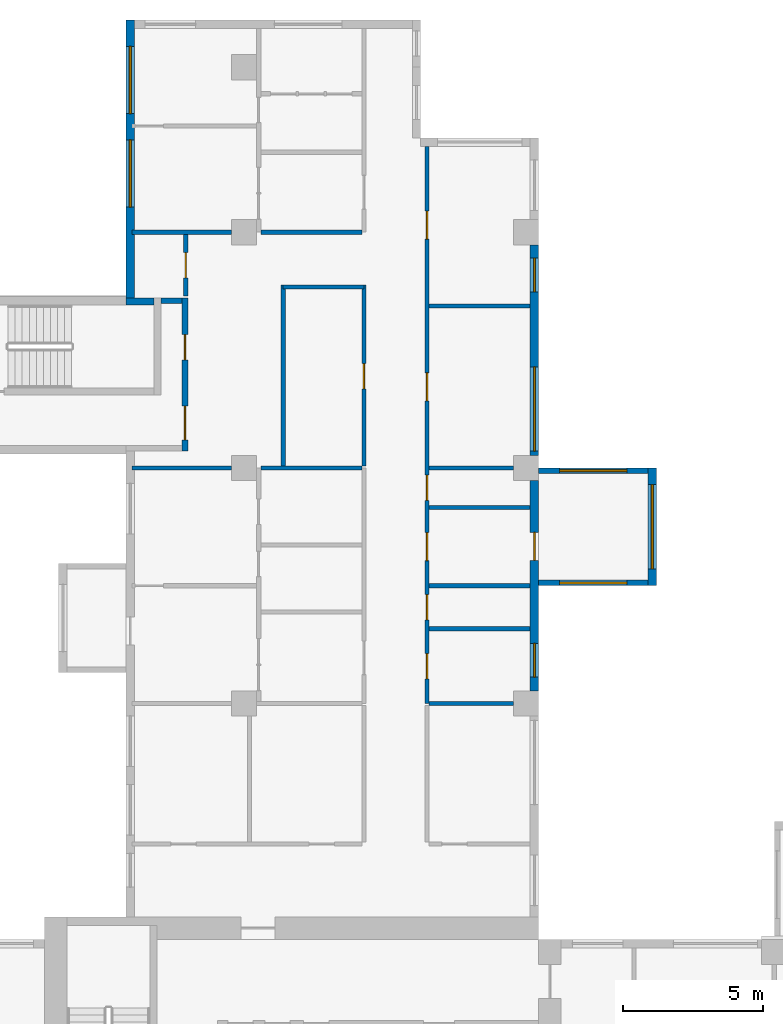
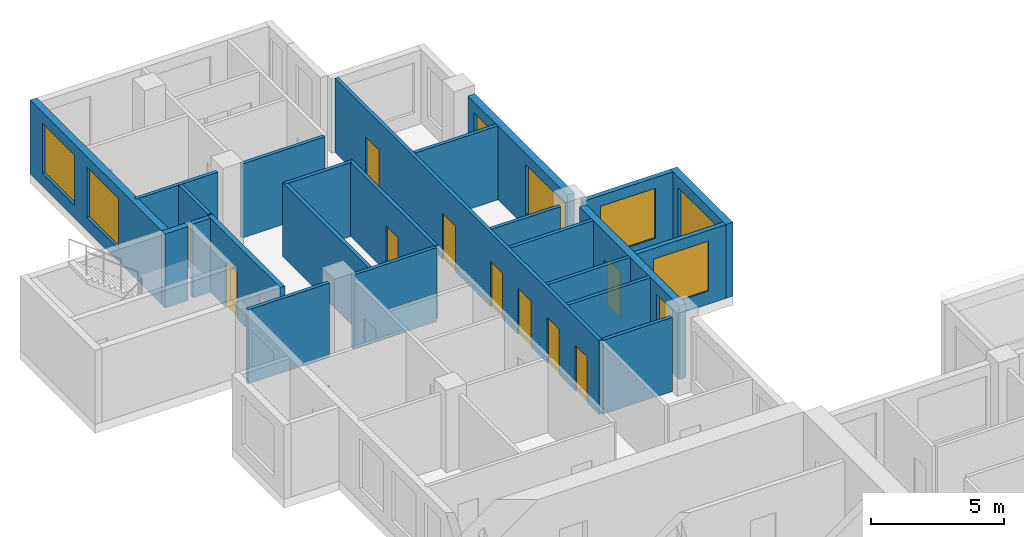
# One storey, part 7 of 12: 24 walls, 11 doors, 8 windows, 19 openings.
"""IFC4 building model written with IfcOpenShell, lengths in metres."""

import ifcopenshell
import ifcopenshell.guid

model = None  # the IFC model being written
_history = None  # IfcOwnerHistory: only IFC2X3 demands one
_inside = {}  # id of a spatial element -> (the spatial element, [elements in it])
_under = {}  # id of a project, library or spatial element -> (it, [spatial elements below it])
_declared = {}  # id of a project -> (the project, [libraries it declares])
_typed = {}  # id of a type object -> (the type object, [elements of that type])
_made_of = {}  # id of a material, layer set ... -> (it, [elements and type objects made of it])


def new_model(schema):
    """Start an empty IFC model of exactly this schema.

    Asked for "IFC4X3", IfcOpenShell would pick the latest addendum, in which some entities
    have other attributes; the version numbers below select the first issue.
    IFC2X3 requires an IfcOwnerHistory on every rooted entity: one is made here for all.
    """
    global model, _history
    if schema == "IFC4X3":
        model = ifcopenshell.file(schema_version=(4, 3, 0, 0))
    else:
        model = ifcopenshell.file(schema=schema)
    _inside.clear()
    _under.clear()
    _declared.clear()
    _typed.clear()
    _made_of.clear()
    _history = None
    if model.schema == "IFC2X3":
        org = make("IfcOrganization", Name="unknown")
        user = make(
            "IfcPersonAndOrganization",
            ThePerson=make("IfcPerson", FamilyName="unknown"),
            TheOrganization=org,
        )
        app = make(
            "IfcApplication",
            ApplicationDeveloper=org,
            Version="unknown",
            ApplicationFullName="unknown",
            ApplicationIdentifier="unknown",
        )
        _history = make(
            "IfcOwnerHistory",
            OwningUser=user,
            OwningApplication=app,
            ChangeAction="ADDED",
            CreationDate=0,
        )
    return model


def make(cls, **values):
    """One entity of the class cls with the attributes given. An attribute that is None is left unset."""
    return model.create_entity(
        cls, **{name: value for name, value in values.items() if value is not None}
    )


def rooted(cls, **values):
    """An entity with a GlobalId (a new one), such as an element, a storey or a relation."""
    return make(cls, GlobalId=ifcopenshell.guid.new(), OwnerHistory=_history, **values)


def si_unit(unit_type, name, prefix=None):
    """IfcSIUnit, for example si_unit("LENGTHUNIT", "METRE", prefix="MILLI")."""
    return make("IfcSIUnit", UnitType=unit_type, Prefix=prefix, Name=name)


def assignment(units):
    """IfcUnitAssignment: the units of a project."""
    return None if units is None else make("IfcUnitAssignment", Units=units)


def point(xyz):
    """IfcCartesianPoint."""
    return None if xyz is None else make("IfcCartesianPoint", Coordinates=xyz)


def direction(xyz):
    """IfcDirection."""
    return None if xyz is None else make("IfcDirection", DirectionRatios=xyz)


def frame(location, z_axis=None, x_axis=None):
    """IfcAxis2Placement3D, a coordinate frame: its origin and axes. An axis left out is left unset."""
    return make(
        "IfcAxis2Placement3D",
        Location=point(location),
        Axis=direction(z_axis),
        RefDirection=direction(x_axis),
    )


def frame_2d(location, x_axis=None):
    """IfcAxis2Placement2D, a coordinate frame in the plane: its origin and x axis."""
    return make(
        "IfcAxis2Placement2D", Location=point(location), RefDirection=direction(x_axis)
    )


def origin():
    """The frame at (0, 0, 0) with its axes left unset."""
    return frame((0.0, 0.0, 0.0))


def place(relative_to, where):
    """IfcLocalPlacement: puts the frame where relative to a parent placement (None: the world)."""
    return make(
        "IfcLocalPlacement", PlacementRelTo=relative_to, RelativePlacement=where
    )


def context(
    kind, dimensions, precision=None, world=None, true_north=None, identifier=None
):
    """IfcGeometricRepresentationContext, for example the 3D "Model" context."""
    return make(
        "IfcGeometricRepresentationContext",
        ContextIdentifier=identifier,
        ContextType=kind,
        CoordinateSpaceDimension=dimensions,
        Precision=precision,
        WorldCoordinateSystem=world,
        TrueNorth=true_north,
    )


def subcontext(parent, identifier, kind, view, scale=None):
    """IfcGeometricRepresentationSubContext, for example "Body" below "Model"."""
    return make(
        "IfcGeometricRepresentationSubContext",
        ContextIdentifier=identifier,
        ContextType=kind,
        ParentContext=parent,
        TargetScale=scale,
        TargetView=view,
    )


def project(units=None, contexts=None):
    """IfcProject with its units and contexts."""
    return rooted(
        "IfcProject",
        Name="project",
        RepresentationContexts=contexts,
        UnitsInContext=assignment(units),
    )


def spatial(cls, under=None, at=None, **own):
    """A site, building, storey or space (cls), placed at a placement, below another one or the project."""
    s = rooted(cls, ObjectPlacement=at, **own)
    if under is not None:
        _under.setdefault(under.id(), (under, []))[1].append(s)
    return s


def profile(cls, at=None, kind="AREA", **sizes):
    """A parametric profile (cls). Its sizes go by their IFC names, for example OverallWidth=200.0."""
    return make(cls, ProfileType=kind, Position=at, **sizes)


def rectangle(**sizes):
    """IfcRectangleProfileDef."""
    return profile("IfcRectangleProfileDef", **sizes)


def extrude(swept, where, along, depth):
    """IfcExtrudedAreaSolid: the profile swept, set in the frame where, extruded along a direction by depth."""
    return make(
        "IfcExtrudedAreaSolid",
        SweptArea=swept,
        Position=where,
        ExtrudedDirection=direction(along),
        Depth=depth,
    )


def shape(context_of_items, identifier, shape_type, items):
    """IfcShapeRepresentation: the items that make up one representation, for example the "Body"."""
    return make(
        "IfcShapeRepresentation",
        ContextOfItems=context_of_items,
        RepresentationIdentifier=identifier,
        RepresentationType=shape_type,
        Items=items,
    )


def source(mapping_origin, context_of_items, identifier, shape_type, items):
    """IfcRepresentationMap: a shape defined once, which mapped items show again and again."""
    return make(
        "IfcRepresentationMap",
        MappingOrigin=mapping_origin,
        MappedRepresentation=shape(context_of_items, identifier, shape_type, items),
    )


def transform(
    local_origin,
    x_axis=None,
    y_axis=None,
    z_axis=None,
    scale=None,
    scale2=None,
    scale3=None,
    uniform=True,
):
    """IfcCartesianTransformationOperator3D, or its non-uniform kind. x_axis, y_axis, z_axis: its Axis1, 2, 3."""
    if uniform:
        return make(
            "IfcCartesianTransformationOperator3D",
            Axis1=direction(x_axis),
            Axis2=direction(y_axis),
            LocalOrigin=point(local_origin),
            Scale=scale,
            Axis3=direction(z_axis),
        )
    return make(
        "IfcCartesianTransformationOperator3DnonUniform",
        Axis1=direction(x_axis),
        Axis2=direction(y_axis),
        LocalOrigin=point(local_origin),
        Scale=scale,
        Axis3=direction(z_axis),
        Scale2=scale2,
        Scale3=scale3,
    )


def mapped(mapping_source, mapping_target):
    """IfcMappedItem: shows the shape of a source again, moved by a transform."""
    return make(
        "IfcMappedItem", MappingSource=mapping_source, MappingTarget=mapping_target
    )


def material(Name=None, Category=None):
    """IfcMaterial."""
    return make("IfcMaterial", Name=Name, Category=Category)


def layer(
    of_material, thickness, ventilated=None, Name=None, Category=None, Priority=None
):
    """IfcMaterialLayer: one layer of a wall or slab, of a material (None: an air gap)."""
    return make(
        "IfcMaterialLayer",
        Material=of_material,
        LayerThickness=thickness,
        IsVentilated=ventilated,
        Name=Name,
        Category=Category,
        Priority=Priority,
    )


def layer_set(layers, Name=None):
    """IfcMaterialLayerSet."""
    return make("IfcMaterialLayerSet", MaterialLayers=layers, LayerSetName=Name)


def made_of(thing, what):
    """Note that an element or type object is made of a material, layer set ...; save() writes the relation."""
    if what is not None:
        _made_of.setdefault(what.id(), (what, []))[1].append(thing)
    return thing


def type_object(cls, material=None, **own):
    """A type object (cls), such as IfcWallType, which elements share."""
    return made_of(rooted(cls, **own), material)


def element(
    cls,
    number,
    at=None,
    inside=None,
    cuts=None,
    type_object=None,
    material=None,
    context=None,
    identifier="Body",
    shape_type=None,
    held_by="IfcProductDefinitionShape",
    body=None,
    shapes=None,
    **own,
):
    """One element of the class cls, such as IfcWall. Its Tag is "e" and its number.

    at: its placement. inside: the storey or other place that contains it. cuts: it is an
    opening in that element (IfcRelVoidsElement). A single representation is given by context,
    identifier, shape_type and body (its items); several are given by shapes. held_by: the class
    of the entity that holds the representations. save() writes the other relations.
    """
    e = rooted(cls, Tag="e%d" % number, ObjectPlacement=at, **own)
    if body is not None:
        shapes = [shape(context, identifier, shape_type, body)]
    if shapes is not None:
        e.Representation = make(held_by, Representations=shapes)
    if inside is not None:
        _inside.setdefault(inside.id(), (inside, []))[1].append(e)
    if cuts is not None:
        rooted(
            "IfcRelVoidsElement", RelatingBuildingElement=cuts, RelatedOpeningElement=e
        )
    if type_object is not None:
        _typed.setdefault(type_object.id(), (type_object, []))[1].append(e)
    return made_of(e, material)


def fill(opening, filler):
    """IfcRelFillsElement: the door or window that sits in an opening."""
    return rooted(
        "IfcRelFillsElement",
        RelatingOpeningElement=opening,
        RelatedBuildingElement=filler,
    )


def aggregate(whole, parts):
    """IfcRelAggregates: a whole, such as a stair, and the parts it consists of."""
    return rooted("IfcRelAggregates", RelatingObject=whole, RelatedObjects=parts)


def save(model, path):
    """Write the relations noted so far, then the file.

    IfcRelAggregates (storeys below a building ...), IfcRelContainedInSpatialStructure (elements
    in a storey), IfcRelDefinesByType, IfcRelAssociatesMaterial and IfcRelDeclares: one each for
    every whole, place, type object, material and project.
    """
    for whole, parts in _under.values():
        aggregate(whole, parts)
    for where, things in _inside.values():
        rooted(
            "IfcRelContainedInSpatialStructure",
            RelatedElements=things,
            RelatingStructure=where,
        )
    for kind, things in _typed.values():
        rooted("IfcRelDefinesByType", RelatedObjects=things, RelatingType=kind)
    for what, things in _made_of.values():
        rooted("IfcRelAssociatesMaterial", RelatedObjects=things, RelatingMaterial=what)
    for by, libraries in _declared.values():
        rooted("IfcRelDeclares", RelatingContext=by, RelatedDefinitions=libraries)
    model.write(path)


model = new_model("IFC4")

# Units and contexts
model_context = context("Model", 3, precision=1e-05, world=origin(), true_north=direction((0.0, 1.0)))
body_context = subcontext(model_context, "Body", "Model", "MODEL_VIEW")
ifc_project = project(units=[si_unit("LENGTHUNIT", "METRE"), si_unit("AREAUNIT", "SQUARE_METRE"), si_unit("VOLUMEUNIT", "CUBIC_METRE"), si_unit("PLANEANGLEUNIT", "RADIAN"), si_unit("MASSUNIT", "GRAM", prefix="KILO")], contexts=[model_context])

# Site, building, storey
site_placement = place(None, origin())
site = spatial("IfcSite", under=ifc_project, at=site_placement, CompositionType="ELEMENT")
building_placement = place(site_placement, origin())
building = spatial("IfcBuilding", under=site, at=building_placement, Name="Aurelian Terraces", CompositionType="ELEMENT")
storey_placement = place(building_placement, frame((0.0, 0.0, 219.6)))
storey = spatial("IfcBuildingStorey", under=building, at=storey_placement, Name="L49", CompositionType="ELEMENT", Elevation=219.6)

# Wall, openings, window, door
ifc_material_1 = material(Name="Terracotta rainscreen cladding", Category="masonry")
ifc_layer_1 = layer(ifc_material_1, 0.3)
ifc_layer_set_1 = layer_set([ifc_layer_1], Name="EW-300")
wall_type_1 = type_object("IfcWallType", Name="EW-300", PredefinedType="STANDARD", material=ifc_layer_set_1)
shared_shape_1 = source(origin(), body_context, "Body", "SweptSolid", [
    extrude(rectangle(XDim=7.5, YDim=0.3, at=frame_2d((3.75, 0.0))), origin(), (0.0, 0.0, 1.0), 3.4),
])
wall_1_placement = place(storey_placement, frame((20.85, 29.85, 0.0), z_axis=(0.0, 0.0, 1.0), x_axis=(0.0, 1.0, 0.0)))
wall_1 = element("IfcWall", 1, at=wall_1_placement, inside=storey, type_object=wall_type_1, Name="External wall L49 F08.18", PredefinedType="STANDARD", context=body_context, shape_type="MappedRepresentation", body=[
    mapped(shared_shape_1, transform((0.0, 0.0, 0.0), scale=1.0)),
])
shared_shape_2 = source(origin(), body_context, "Body", "SweptSolid", [
    extrude(rectangle(XDim=1.2, YDim=2.3, at=frame_2d((0.6, 1.15))), frame((0.0, 0.16, 0.0), z_axis=(0.0, -1.0, 0.0), x_axis=(1.0, 0.0, 0.0)), (0.0, 0.0, 1.0), 0.32),
])
opening_1_placement = place(wall_1_placement, frame((0.496, 0.0, 0.6)))
opening_1 = element("IfcOpeningElement", 2, at=opening_1_placement, cuts=wall_1, Name="Opening W1223", PredefinedType="OPENING", context=body_context, shape_type="MappedRepresentation", body=[
    mapped(shared_shape_2, transform((0.0, 0.0, 0.0), scale=1.0)),
])
shared_shape_3 = source(origin(), body_context, "Body", "SweptSolid", [
    extrude(rectangle(XDim=1.0, YDim=2.1, at=frame_2d((0.5, 1.05))), frame((0.0, 0.16, 0.0), z_axis=(0.0, -1.0, 0.0), x_axis=(1.0, 0.0, 0.0)), (0.0, 0.0, 1.0), 0.32),
])
opening_2_placement = place(wall_1_placement, frame((4.65, 0.0, 0.0)))
opening_2 = element("IfcOpeningElement", 3, at=opening_2_placement, cuts=wall_1, Name="Opening 849004", PredefinedType="OPENING", context=body_context, shape_type="MappedRepresentation", body=[
    mapped(shared_shape_3, transform((0.0, 0.0, 0.0), scale=1.0)),
])
ifc_material_2 = material(Name="Clear glazing", Category="glass")
window_type_1 = type_object("IfcWindowType", Name="W-1200x2300", PartitioningType="SINGLE_PANEL", PredefinedType="WINDOW", material=ifc_material_2)
shared_shape_4 = source(origin(), body_context, "Body", "SweptSolid", [
    extrude(rectangle(XDim=1.2, YDim=2.3, at=frame_2d((0.6, 1.15))), frame((0.0, 0.03, 0.0), z_axis=(0.0, -1.0, 0.0), x_axis=(1.0, 0.0, 0.0)), (0.0, 0.0, 1.0), 0.06),
])
window_1_placement = place(opening_1_placement, origin())
window_1 = element("IfcWindow", 4, at=window_1_placement, inside=storey, type_object=window_type_1, Name="Window L49 L49-F08-18-0", OverallHeight=2.3, OverallWidth=1.2, PartitioningType="SINGLE_PANEL", PredefinedType="WINDOW", context=body_context, shape_type="MappedRepresentation", body=[
    mapped(shared_shape_4, transform((0.0, 0.0, 0.0), scale=1.0)),
])
fill(opening_1, window_1)
ifc_material_3 = material(Name="Timber door leaf", Category="wood")
door_type_1 = type_object("IfcDoorType", Name="Room door 1000x2100 left", OperationType="SINGLE_SWING_LEFT", PredefinedType="DOOR", material=ifc_material_3)
shared_shape_5 = source(origin(), body_context, "Body", "SweptSolid", [
    extrude(rectangle(XDim=1.0, YDim=2.1, at=frame_2d((0.5, 1.05))), frame((0.0, 0.025, 0.0), z_axis=(0.0, -1.0, 0.0), x_axis=(1.0, 0.0, 0.0)), (0.0, 0.0, 1.0), 0.05),
])
door_1_placement = place(opening_2_placement, origin())
door_1 = element("IfcDoor", 5, at=door_1_placement, inside=storey, type_object=door_type_1, Name="Door 849004", OperationType="SINGLE_SWING_LEFT", OverallHeight=2.1, OverallWidth=1.0, PredefinedType="DOOR", context=body_context, shape_type="MappedRepresentation", body=[
    mapped(shared_shape_5, transform((0.0, 0.0, 0.0), scale=1.0)),
])
fill(opening_2, door_1)

# Wall, openings, windows
wall_2_placement = place(storey_placement, frame((20.85, 38.25, 0.0), z_axis=(0.0, 0.0, 1.0), x_axis=(0.0, 1.0, 0.0)))
wall_2 = element("IfcWall", 6, at=wall_2_placement, inside=storey, type_object=wall_type_1, Name="External wall L49 F08.19", PredefinedType="STANDARD", context=body_context, shape_type="MappedRepresentation", body=[
    mapped(shared_shape_1, transform((0.0, 0.0, 0.0), scale=1.0)),
])
shared_shape_6 = source(origin(), body_context, "Body", "SweptSolid", [
    extrude(rectangle(XDim=3.0, YDim=2.3, at=frame_2d((1.5, 1.15))), frame((0.0, 0.16, 0.0), z_axis=(0.0, -1.0, 0.0), x_axis=(1.0, 0.0, 0.0)), (0.0, 0.0, 1.0), 0.32),
])
opening_3_placement = place(wall_2_placement, frame((0.15, 0.0, 0.6)))
opening_3 = element("IfcOpeningElement", 7, at=opening_3_placement, cuts=wall_2, Name="Opening W3023", PredefinedType="OPENING", context=body_context, shape_type="MappedRepresentation", body=[
    mapped(shared_shape_6, transform((0.0, 0.0, 0.0), scale=1.0)),
])
opening_4_placement = place(wall_2_placement, frame((5.8215, 0.0, 0.6)))
opening_4 = element("IfcOpeningElement", 8, at=opening_4_placement, cuts=wall_2, Name="Opening W1223", PredefinedType="OPENING", context=body_context, shape_type="MappedRepresentation", body=[
    mapped(shared_shape_2, transform((0.0, 0.0, 0.0), scale=1.0)),
])
window_type_2 = type_object("IfcWindowType", Name="W-3000x2300", PartitioningType="SINGLE_PANEL", PredefinedType="WINDOW", material=ifc_material_2)
shared_shape_7 = source(origin(), body_context, "Body", "SweptSolid", [
    extrude(rectangle(XDim=3.0, YDim=2.3, at=frame_2d((1.5, 1.15))), frame((0.0, 0.03, 0.0), z_axis=(0.0, -1.0, 0.0), x_axis=(1.0, 0.0, 0.0)), (0.0, 0.0, 1.0), 0.06),
])
window_2_placement = place(opening_3_placement, origin())
window_2 = element("IfcWindow", 9, at=window_2_placement, inside=storey, type_object=window_type_2, Name="Window L49 L49-F08-19-0", OverallHeight=2.3, OverallWidth=3.0, PartitioningType="SINGLE_PANEL", PredefinedType="WINDOW", context=body_context, shape_type="MappedRepresentation", body=[
    mapped(shared_shape_7, transform((0.0, 0.0, 0.0), scale=1.0)),
])
fill(opening_3, window_2)
window_3_placement = place(opening_4_placement, origin())
window_3 = element("IfcWindow", 10, at=window_3_placement, inside=storey, type_object=window_type_1, Name="Window L49 L49-F08-19-1", OverallHeight=2.3, OverallWidth=1.2, PartitioningType="SINGLE_PANEL", PredefinedType="WINDOW", context=body_context, shape_type="MappedRepresentation", body=[
    mapped(shared_shape_4, transform((0.0, 0.0, 0.0), scale=1.0)),
])
fill(opening_4, window_3)

# Wall, opening, window
ifc_material_4 = material(Name="Concrete fc' 40 MPa", Category="concrete")
ifc_layer_2 = layer(ifc_material_4, 0.2)
ifc_layer_set_2 = layer_set([ifc_layer_2], Name="BOX BEARING WALL 200")
wall_type_2 = type_object("IfcWallType", Name="BOX BEARING WALL 200", PredefinedType="SOLIDWALL", material=ifc_layer_set_2)
shared_shape_8 = source(origin(), body_context, "Body", "SweptSolid", [
    extrude(rectangle(XDim=3.9, YDim=0.2, at=frame_2d((1.95, 0.0))), origin(), (0.0, 0.0, 1.0), 3.39),
])
wall_3_placement = place(storey_placement, frame((21.0, 33.7, 0.0), z_axis=(0.0, 0.0, 1.0), x_axis=(1.0, 0.0, 0.0)))
wall_3 = element("IfcWall", 11, at=wall_3_placement, inside=storey, type_object=wall_type_2, Name="Box return L49 J72.1", PredefinedType="SOLIDWALL", context=body_context, shape_type="MappedRepresentation", body=[
    mapped(shared_shape_8, transform((0.0, 0.0, 0.0), scale=1.0)),
])
shared_shape_9 = source(origin(), body_context, "Body", "SweptSolid", [
    extrude(rectangle(XDim=2.4, YDim=2.3, at=frame_2d((1.2, 1.15))), frame((0.0, 0.11, 0.0), z_axis=(0.0, -1.0, 0.0), x_axis=(1.0, 0.0, 0.0)), (0.0, 0.0, 1.0), 0.22),
])
opening_5_placement = place(wall_3_placement, frame((0.75, 0.0, 0.6)))
opening_5 = element("IfcOpeningElement", 12, at=opening_5_placement, cuts=wall_3, Name="Opening W2423", PredefinedType="OPENING", context=body_context, shape_type="MappedRepresentation", body=[
    mapped(shared_shape_9, transform((0.0, 0.0, 0.0), scale=1.0)),
])
window_type_3 = type_object("IfcWindowType", Name="W-2400x2300", PartitioningType="SINGLE_PANEL", PredefinedType="WINDOW", material=ifc_material_2)
shared_shape_10 = source(origin(), body_context, "Body", "SweptSolid", [
    extrude(rectangle(XDim=2.4, YDim=2.3, at=frame_2d((1.2, 1.15))), frame((0.0, 0.03, 0.0), z_axis=(0.0, -1.0, 0.0), x_axis=(1.0, 0.0, 0.0)), (0.0, 0.0, 1.0), 0.06),
])
window_4_placement = place(opening_5_placement, origin())
window_4 = element("IfcWindow", 13, at=window_4_placement, inside=storey, type_object=window_type_3, Name="Window L49 J72-S1", OverallHeight=2.3, OverallWidth=2.4, PartitioningType="SINGLE_PANEL", PredefinedType="WINDOW", context=body_context, shape_type="MappedRepresentation", body=[
    mapped(shared_shape_10, transform((0.0, 0.0, 0.0), scale=1.0)),
])
fill(opening_5, window_4)

wall_4_placement = place(storey_placement, frame((21.0, 37.7, 0.0), z_axis=(0.0, 0.0, 1.0), x_axis=(1.0, 0.0, 0.0)))
wall_4 = element("IfcWall", 14, at=wall_4_placement, inside=storey, type_object=wall_type_2, Name="Box return L49 J72.2", PredefinedType="SOLIDWALL", context=body_context, shape_type="MappedRepresentation", body=[
    mapped(shared_shape_8, transform((0.0, 0.0, 0.0), scale=1.0)),
])
opening_6_placement = place(wall_4_placement, frame((0.75, 0.0, 0.6)))
opening_6 = element("IfcOpeningElement", 15, at=opening_6_placement, cuts=wall_4, Name="Opening W2423", PredefinedType="OPENING", context=body_context, shape_type="MappedRepresentation", body=[
    mapped(shared_shape_9, transform((0.0, 0.0, 0.0), scale=1.0)),
])
window_5_placement = place(opening_6_placement, origin())
window_5 = element("IfcWindow", 16, at=window_5_placement, inside=storey, type_object=window_type_3, Name="Window L49 J72-S2", OverallHeight=2.3, OverallWidth=2.4, PartitioningType="SINGLE_PANEL", PredefinedType="WINDOW", context=body_context, shape_type="MappedRepresentation", body=[
    mapped(shared_shape_10, transform((0.0, 0.0, 0.0), scale=1.0)),
])
fill(opening_6, window_5)

ifc_layer_3 = layer(ifc_material_4, 0.3)
ifc_layer_set_3 = layer_set([ifc_layer_3], Name="BOX BEARING WALL 300")
wall_type_3 = type_object("IfcWallType", Name="BOX BEARING WALL 300", PredefinedType="SOLIDWALL", material=ifc_layer_set_3)
shared_shape_11 = source(origin(), body_context, "Body", "SweptSolid", [
    extrude(rectangle(XDim=4.2, YDim=0.3, at=frame_2d((2.1, 0.0))), origin(), (0.0, 0.0, 1.0), 3.39),
])
wall_5_placement = place(storey_placement, frame((25.05, 33.6, 0.0), z_axis=(0.0, 0.0, 1.0), x_axis=(0.0, 1.0, 0.0)))
wall_5 = element("IfcWall", 17, at=wall_5_placement, inside=storey, type_object=wall_type_3, Name="Box wall L49 J72", PredefinedType="SOLIDWALL", context=body_context, shape_type="MappedRepresentation", body=[
    mapped(shared_shape_11, transform((0.0, 0.0, 0.0), scale=1.0)),
])
opening_7_placement = place(wall_5_placement, frame((0.6, 0.0, 0.6)))
opening_7 = element("IfcOpeningElement", 18, at=opening_7_placement, cuts=wall_5, Name="Opening W3023", PredefinedType="OPENING", context=body_context, shape_type="MappedRepresentation", body=[
    mapped(shared_shape_6, transform((0.0, 0.0, 0.0), scale=1.0)),
])
window_6_placement = place(opening_7_placement, origin())
window_6 = element("IfcWindow", 19, at=window_6_placement, inside=storey, type_object=window_type_2, Name="Window L49 J72-F1", OverallHeight=2.3, OverallWidth=3.0, PartitioningType="SINGLE_PANEL", PredefinedType="WINDOW", context=body_context, shape_type="MappedRepresentation", body=[
    mapped(shared_shape_7, transform((0.0, 0.0, 0.0), scale=1.0)),
])
fill(opening_7, window_6)

# Wall, openings, windows
shared_shape_12 = source(origin(), body_context, "Body", "SweptSolid", [
    extrude(rectangle(XDim=9.91, YDim=0.3, at=frame_2d((4.955, 0.0))), origin(), (0.0, 0.0, 1.0), 3.4),
])
wall_6_placement = place(storey_placement, frame((6.45, 53.76, 0.0), z_axis=(0.0, 0.0, 1.0), x_axis=(0.0, -1.0, 0.0)))
wall_6 = element("IfcWall", 20, at=wall_6_placement, inside=storey, type_object=wall_type_1, Name="External wall L49 F12.25", PredefinedType="STANDARD", context=body_context, shape_type="MappedRepresentation", body=[
    mapped(shared_shape_12, transform((0.0, 0.0, 0.0), scale=1.0)),
])
shared_shape_13 = source(origin(), body_context, "Body", "SweptSolid", [
    extrude(rectangle(XDim=2.4, YDim=2.3, at=frame_2d((1.2, 1.15))), frame((0.0, 0.16, 0.0), z_axis=(0.0, -1.0, 0.0), x_axis=(1.0, 0.0, 0.0)), (0.0, 0.0, 1.0), 0.32),
])
opening_8_placement = place(wall_6_placement, frame((4.2725, 0.0, 0.6)))
opening_8 = element("IfcOpeningElement", 21, at=opening_8_placement, cuts=wall_6, Name="Opening W2423", PredefinedType="OPENING", context=body_context, shape_type="MappedRepresentation", body=[
    mapped(shared_shape_13, transform((0.0, 0.0, 0.0), scale=1.0)),
])
opening_9_placement = place(wall_6_placement, frame((0.9363, 0.0, 0.6)))
opening_9 = element("IfcOpeningElement", 22, at=opening_9_placement, cuts=wall_6, Name="Opening W2423", PredefinedType="OPENING", context=body_context, shape_type="MappedRepresentation", body=[
    mapped(shared_shape_13, transform((0.0, 0.0, 0.0), scale=1.0)),
])
window_7_placement = place(opening_8_placement, origin())
window_7 = element("IfcWindow", 23, at=window_7_placement, inside=storey, type_object=window_type_3, Name="Window L49 L49-F12-25-1", OverallHeight=2.3, OverallWidth=2.4, PartitioningType="SINGLE_PANEL", PredefinedType="WINDOW", context=body_context, shape_type="MappedRepresentation", body=[
    mapped(shared_shape_10, transform((0.0, 0.0, 0.0), scale=1.0)),
])
fill(opening_8, window_7)
window_8_placement = place(opening_9_placement, origin())
window_8 = element("IfcWindow", 24, at=window_8_placement, inside=storey, type_object=window_type_3, Name="Window L49 L49-F12-25-G0-0", OverallHeight=2.3, OverallWidth=2.4, PartitioningType="SINGLE_PANEL", PredefinedType="WINDOW", context=body_context, shape_type="MappedRepresentation", body=[
    mapped(shared_shape_10, transform((0.0, 0.0, 0.0), scale=1.0)),
])
fill(opening_9, window_8)

# Wall, openings, doors
ifc_material_5 = material(Name="Gypsum board on steel studs", Category="steel")
ifc_layer_4 = layer(ifc_material_5, 0.2)
ifc_layer_set_4 = layer_set([ifc_layer_4], Name="Core partition 200")
wall_type_4 = type_object("IfcWallType", Name="Core partition 200", PredefinedType="PARTITIONING", material=ifc_layer_set_4)
shared_shape_14 = source(origin(), body_context, "Body", "SweptSolid", [
    extrude(rectangle(XDim=5.45, YDim=0.2, at=frame_2d((2.725, 0.0))), origin(), (0.0, 0.0, 1.0), 3.4),
])
wall_7_placement = place(storey_placement, frame((8.4, 38.4, 0.0), z_axis=(0.0, 0.0, 1.0), x_axis=(0.0, 1.0, 0.0)))
wall_7 = element("IfcWall", 25, at=wall_7_placement, inside=storey, type_object=wall_type_4, Name="L49 core wall ST-S3-BN", PredefinedType="PARTITIONING", context=body_context, shape_type="MappedRepresentation", body=[
    mapped(shared_shape_14, transform((0.0, 0.0, 0.0), scale=1.0)),
])
shared_shape_15 = source(origin(), body_context, "Body", "SweptSolid", [
    extrude(rectangle(XDim=1.2, YDim=2.1, at=frame_2d((0.6, 1.05))), frame((0.0, 0.11, 0.0), z_axis=(0.0, -1.0, 0.0), x_axis=(1.0, 0.0, 0.0)), (0.0, 0.0, 1.0), 0.22),
])
opening_10_placement = place(wall_7_placement, frame((0.4, 0.0, 0.0)))
opening_10 = element("IfcOpeningElement", 26, at=opening_10_placement, cuts=wall_7, Name="Opening 65221", PredefinedType="OPENING", context=body_context, shape_type="MappedRepresentation", body=[
    mapped(shared_shape_15, transform((0.0, 0.0, 0.0), scale=1.0)),
])
shared_shape_16 = source(origin(), body_context, "Body", "SweptSolid", [
    extrude(rectangle(XDim=0.9, YDim=2.1, at=frame_2d((0.45, 1.05))), frame((0.0, 0.11, 0.0), z_axis=(0.0, -1.0, 0.0), x_axis=(1.0, 0.0, 0.0)), (0.0, 0.0, 1.0), 0.22),
])
opening_11_placement = place(wall_7_placement, frame((3.25, 0.0, 0.0)))
opening_11 = element("IfcOpeningElement", 27, at=opening_11_placement, cuts=wall_7, Name="Opening 65222", PredefinedType="OPENING", context=body_context, shape_type="MappedRepresentation", body=[
    mapped(shared_shape_16, transform((0.0, 0.0, 0.0), scale=1.0)),
])
ifc_material_6 = material(Name="Steel door leaf", Category="steel")
door_type_2 = type_object("IfcDoorType", Name="Core riser door 900x2100", OperationType="SINGLE_SWING_LEFT", PredefinedType="DOOR", material=ifc_material_6)
shared_shape_17 = source(origin(), body_context, "Body", "SweptSolid", [
    extrude(rectangle(XDim=0.9, YDim=2.1, at=frame_2d((0.45, 1.05))), frame((0.0, 0.025, 0.0), z_axis=(0.0, -1.0, 0.0), x_axis=(1.0, 0.0, 0.0)), (0.0, 0.0, 1.0), 0.05),
])
door_2_placement = place(opening_11_placement, origin())
door_2 = element("IfcDoor", 28, at=door_2_placement, inside=storey, type_object=door_type_2, Name="Riser door 65222", OperationType="SINGLE_SWING_LEFT", OverallHeight=2.1, OverallWidth=0.9, PredefinedType="DOOR", context=body_context, shape_type="MappedRepresentation", body=[
    mapped(shared_shape_17, transform((0.0, 0.0, 0.0), scale=1.0)),
])
fill(opening_11, door_2)
door_type_3 = type_object("IfcDoorType", Name="Core fire door 1200x2100 right", OperationType="SINGLE_SWING_RIGHT", PredefinedType="DOOR", material=ifc_material_6)
shared_shape_18 = source(origin(), body_context, "Body", "SweptSolid", [
    extrude(rectangle(XDim=1.2, YDim=2.1, at=frame_2d((0.6, 1.05))), frame((0.0, 0.025, 0.0), z_axis=(0.0, -1.0, 0.0), x_axis=(1.0, 0.0, 0.0)), (0.0, 0.0, 1.0), 0.05),
])
door_3_placement = place(opening_10_placement, origin())
door_3 = element("IfcDoor", 29, at=door_3_placement, inside=storey, type_object=door_type_3, Name="Vestibule door 65221", OperationType="SINGLE_SWING_RIGHT", OverallHeight=2.1, OverallWidth=1.2, PredefinedType="DOOR", context=body_context, shape_type="MappedRepresentation", body=[
    mapped(shared_shape_18, transform((0.0, 0.0, 0.0), scale=1.0)),
])
fill(opening_10, door_3)

# Walls
shared_shape_19 = source(origin(), body_context, "Body", "SweptSolid", [
    extrude(rectangle(XDim=0.75, YDim=0.2, at=frame_2d((0.375, 0.0))), origin(), (0.0, 0.0, 1.0), 3.4),
])
wall_8_placement = place(storey_placement, frame((7.55, 43.75, 0.0), z_axis=(0.0, 0.0, 1.0), x_axis=(1.0, 0.0, 0.0)))
element("IfcWall", 30, at=wall_8_placement, inside=storey, type_object=wall_type_4, Name="L49 core wall ST-S3-RE", PredefinedType="PARTITIONING", context=body_context, shape_type="MappedRepresentation", body=[
    mapped(shared_shape_19, transform((0.0, 0.0, 0.0), scale=1.0)),
])
ifc_layer_5 = layer(ifc_material_4, 0.25)
ifc_layer_set_5 = layer_set([ifc_layer_5], Name="Stair enclosure wall 250")
wall_type_5 = type_object("IfcWallType", Name="Stair enclosure wall 250", PredefinedType="SOLIDWALL", material=ifc_layer_set_5)
shared_shape_20 = source(origin(), body_context, "Body", "SweptSolid", [
    extrude(rectangle(XDim=1.0, YDim=0.25, at=frame_2d((0.5, 0.0))), origin(), (0.0, 0.0, 1.0), 3.4),
])
wall_9_placement = place(storey_placement, frame((6.3, 43.725, 0.0), z_axis=(0.0, 0.0, 1.0), x_axis=(1.0, 0.0, 0.0)))
element("IfcWall", 31, at=wall_9_placement, inside=storey, type_object=wall_type_5, Name="L49 core wall ST-S3-E", PredefinedType="SOLIDWALL", context=body_context, shape_type="MappedRepresentation", body=[
    mapped(shared_shape_20, transform((0.0, 0.0, 0.0), scale=1.0)),
])
ifc_layer_6 = layer(ifc_material_5, 0.15)
ifc_layer_set_6 = layer_set([ifc_layer_6], Name="Partition 150")
wall_type_6 = type_object("IfcWallType", Name="Partition 150", PredefinedType="PARTITIONING", material=ifc_layer_set_6)
shared_shape_21 = source(origin(), body_context, "Body", "SweptSolid", [
    extrude(rectangle(XDim=6.45, YDim=0.15, at=frame_2d((3.225, 0.0))), origin(), (0.0, 0.0, 1.0), 3.4),
])
wall_10_placement = place(storey_placement, frame((11.9, 44.325, 0.0), z_axis=(0.0, 0.0, 1.0), x_axis=(0.0, -1.0, 0.0)))
element("IfcWall", 32, at=wall_10_placement, inside=storey, type_object=wall_type_6, Name="Partition", PredefinedType="PARTITIONING", context=body_context, shape_type="MappedRepresentation", body=[
    mapped(shared_shape_21, transform((0.0, 0.0, 0.0), scale=1.0)),
])

# Wall, opening, door
ifc_layer_7 = layer(ifc_material_5, 0.15)
ifc_layer_set_7 = layer_set([ifc_layer_7], Name="Fire partition 150")
wall_type_7 = type_object("IfcWallType", Name="Fire partition 150", PredefinedType="PARTITIONING", material=ifc_layer_set_7)
wall_11_placement = place(storey_placement, frame((14.775, 37.875, 0.0), z_axis=(0.0, 0.0, 1.0), x_axis=(0.0, 1.0, 0.0)))
wall_11 = element("IfcWall", 33, at=wall_11_placement, inside=storey, type_object=wall_type_7, Name="Corridor wall", PredefinedType="PARTITIONING", context=body_context, shape_type="MappedRepresentation", body=[
    mapped(shared_shape_21, transform((0.0, 0.0, 0.0), scale=1.0)),
])
shared_shape_22 = source(origin(), body_context, "Body", "SweptSolid", [
    extrude(rectangle(XDim=0.9, YDim=2.1, at=frame_2d((0.45, 1.05))), frame((0.0, 0.085, 0.0), z_axis=(0.0, -1.0, 0.0), x_axis=(1.0, 0.0, 0.0)), (0.0, 0.0, 1.0), 0.17),
])
opening_12_placement = place(wall_11_placement, frame((2.7375, 0.0, 0.0)))
opening_12 = element("IfcOpeningElement", 34, at=opening_12_placement, cuts=wall_11, Name="Opening 749022", PredefinedType="OPENING", context=body_context, shape_type="MappedRepresentation", body=[
    mapped(shared_shape_22, transform((0.0, 0.0, 0.0), scale=1.0)),
])
door_type_4 = type_object("IfcDoorType", Name="Room door 900x2100 right", OperationType="SINGLE_SWING_RIGHT", PredefinedType="DOOR", material=ifc_material_3)
door_4_placement = place(opening_12_placement, origin())
door_4 = element("IfcDoor", 35, at=door_4_placement, inside=storey, type_object=door_type_4, Name="Door 749022", OperationType="SINGLE_SWING_RIGHT", OverallHeight=2.1, OverallWidth=0.9, PredefinedType="DOOR", context=body_context, shape_type="MappedRepresentation", body=[
    mapped(shared_shape_17, transform((0.0, 0.0, 0.0), scale=1.0)),
])
fill(opening_12, door_4)

# Walls
shared_shape_23 = source(origin(), body_context, "Body", "SweptSolid", [
    extrude(rectangle(XDim=3.6, YDim=0.15, at=frame_2d((1.8, 0.0))), origin(), (0.0, 0.0, 1.0), 3.4),
])
for number, where, z_axis, x_axis, name in (
    (36, (14.7, 37.8, 0.0), (0.0, 0.0, 1.0), (-1.0, 0.0, 0.0), "Party wall"),
    (37, (14.7, 46.2, 0.0), (0.0, 0.0, 1.0), (-1.0, 0.0, 0.0), "Party wall"),
):
    element("IfcWall", number, at=place(storey_placement, frame(where, z_axis=z_axis, x_axis=x_axis)), inside=storey, type_object=wall_type_7, Name=name, PredefinedType="PARTITIONING", context=body_context, shape_type="MappedRepresentation", body=[
        mapped(shared_shape_23, transform((0.0, 0.0, 0.0), scale=1.0)),
    ])
for number, where, z_axis, x_axis, name in (
    (38, (17.1, 32.067, 0.0), (0.0, 0.0, 1.0), (1.0, 0.0, 0.0), "Partition"),
    (39, (17.1, 36.3885, 0.0), (0.0, 0.0, 1.0), (1.0, 0.0, 0.0), "Partition"),
    (40, (17.1, 43.5675, 0.0), (0.0, 0.0, 1.0), (1.0, 0.0, 0.0), "Partition"),
):
    element("IfcWall", number, at=place(storey_placement, frame(where, z_axis=z_axis, x_axis=x_axis)), inside=storey, type_object=wall_type_6, Name=name, PredefinedType="PARTITIONING", context=body_context, shape_type="MappedRepresentation", body=[
        mapped(shared_shape_23, transform((0.0, 0.0, 0.0), scale=1.0)),
    ])
wall_12_placement = place(storey_placement, frame((20.7, 33.6, 0.0), z_axis=(0.0, 0.0, 1.0), x_axis=(-1.0, 0.0, 0.0)))
element("IfcWall", 41, at=wall_12_placement, inside=storey, type_object=wall_type_7, Name="Party wall", PredefinedType="PARTITIONING", context=body_context, shape_type="MappedRepresentation", body=[
    mapped(shared_shape_23, transform((0.0, 0.0, 0.0), scale=1.0)),
])
shared_shape_24 = source(origin(), body_context, "Body", "SweptSolid", [
    extrude(rectangle(XDim=3.001, YDim=0.15, at=frame_2d((1.5005, 0.0))), origin(), (0.0, 0.0, 1.0), 3.4),
])
wall_13_placement = place(storey_placement, frame((20.101, 29.4, 0.0), z_axis=(0.0, 0.0, 1.0), x_axis=(-1.0, 0.0, 0.0)))
element("IfcWall", 42, at=wall_13_placement, inside=storey, type_object=wall_type_6, Name="Partition", PredefinedType="PARTITIONING", context=body_context, shape_type="MappedRepresentation", body=[
    mapped(shared_shape_24, transform((0.0, 0.0, 0.0), scale=1.0)),
])
wall_14_placement = place(storey_placement, frame((20.101, 37.8, 0.0), z_axis=(0.0, 0.0, 1.0), x_axis=(-1.0, 0.0, 0.0)))
element("IfcWall", 43, at=wall_14_placement, inside=storey, type_object=wall_type_7, Name="Party wall", PredefinedType="PARTITIONING", context=body_context, shape_type="MappedRepresentation", body=[
    mapped(shared_shape_24, transform((0.0, 0.0, 0.0), scale=1.0)),
])

# Wall, opening, door
shared_shape_25 = source(origin(), body_context, "Body", "SweptSolid", [
    extrude(rectangle(XDim=2.2, YDim=0.15, at=frame_2d((1.1, 0.0))), origin(), (0.0, 0.0, 1.0), 3.4),
])
wall_15_placement = place(storey_placement, frame((8.425, 43.925, 0.0), z_axis=(0.0, 0.0, 1.0), x_axis=(0.0, 1.0, 0.0)))
wall_15 = element("IfcWall", 44, at=wall_15_placement, inside=storey, type_object=wall_type_6, Name="Partition", PredefinedType="PARTITIONING", context=body_context, shape_type="MappedRepresentation", body=[
    mapped(shared_shape_25, transform((0.0, 0.0, 0.0), scale=1.0)),
])
opening_13_placement = place(wall_15_placement, frame((0.65, 0.0, 0.0)))
opening_13 = element("IfcOpeningElement", 45, at=opening_13_placement, cuts=wall_15, Name="Opening 749023", PredefinedType="OPENING", context=body_context, shape_type="MappedRepresentation", body=[
    mapped(shared_shape_22, transform((0.0, 0.0, 0.0), scale=1.0)),
])
door_5_placement = place(opening_13_placement, origin())
door_5 = element("IfcDoor", 46, at=door_5_placement, inside=storey, type_object=door_type_4, Name="Door 749023", OperationType="SINGLE_SWING_RIGHT", OverallHeight=2.1, OverallWidth=0.9, PredefinedType="DOOR", context=body_context, shape_type="MappedRepresentation", body=[
    mapped(shared_shape_17, transform((0.0, 0.0, 0.0), scale=1.0)),
])
fill(opening_13, door_5)

# Walls
shared_shape_26 = source(origin(), body_context, "Body", "SweptSolid", [
    extrude(rectangle(XDim=3.546, YDim=0.15, at=frame_2d((1.773, 0.0))), origin(), (0.0, 0.0, 1.0), 3.4),
])
for number, where, z_axis, x_axis, name in (
    (47, (10.051, 37.8, 0.0), (0.0, 0.0, 1.0), (-1.0, 0.0, 0.0), "Party wall"),
    (48, (10.051, 46.2, 0.0), (0.0, 0.0, 1.0), (-1.0, 0.0, 0.0), "Party wall"),
):
    element("IfcWall", number, at=place(storey_placement, frame(where, z_axis=z_axis, x_axis=x_axis)), inside=storey, type_object=wall_type_7, Name=name, PredefinedType="PARTITIONING", context=body_context, shape_type="MappedRepresentation", body=[
        mapped(shared_shape_26, transform((0.0, 0.0, 0.0), scale=1.0)),
    ])

# Wall, openings, doors
shared_shape_27 = source(origin(), body_context, "Body", "SweptSolid", [
    extrude(rectangle(XDim=19.86, YDim=0.15, at=frame_2d((9.93, 0.0))), origin(), (0.0, 0.0, 1.0), 3.4),
])
wall_16_placement = place(storey_placement, frame((17.025, 49.26, 0.0), z_axis=(0.0, 0.0, 1.0), x_axis=(0.0, -1.0, 0.0)))
wall_16 = element("IfcWall", 49, at=wall_16_placement, inside=storey, type_object=wall_type_7, Name="Corridor wall", PredefinedType="PARTITIONING", context=body_context, shape_type="MappedRepresentation", body=[
    mapped(shared_shape_27, transform((0.0, 0.0, 0.0), scale=1.0)),
])
opening_14_placement = place(wall_16_placement, frame((18.0765, 0.0, 0.0)))
opening_14 = element("IfcOpeningElement", 50, at=opening_14_placement, cuts=wall_16, Name="Opening 749035", PredefinedType="OPENING", context=body_context, shape_type="MappedRepresentation", body=[
    mapped(shared_shape_22, transform((0.0, 0.0, 0.0), scale=1.0)),
])
opening_15_placement = place(wall_16_placement, frame((15.9765, 0.0, 0.0)))
opening_15 = element("IfcOpeningElement", 51, at=opening_15_placement, cuts=wall_16, Name="Opening 749036", PredefinedType="OPENING", context=body_context, shape_type="MappedRepresentation", body=[
    mapped(shared_shape_22, transform((0.0, 0.0, 0.0), scale=1.0)),
])
shared_shape_28 = source(origin(), body_context, "Body", "SweptSolid", [
    extrude(rectangle(XDim=1.0, YDim=2.1, at=frame_2d((0.5, 1.05))), frame((0.0, 0.085, 0.0), z_axis=(0.0, -1.0, 0.0), x_axis=(1.0, 0.0, 0.0)), (0.0, 0.0, 1.0), 0.17),
])
opening_16_placement = place(wall_16_placement, frame((13.7658, 0.0, 0.0)))
opening_16 = element("IfcOpeningElement", 52, at=opening_16_placement, cuts=wall_16, Name="Opening 749037", PredefinedType="OPENING", context=body_context, shape_type="MappedRepresentation", body=[
    mapped(shared_shape_28, transform((0.0, 0.0, 0.0), scale=1.0)),
])
opening_17_placement = place(wall_16_placement, frame((11.7158, 0.0, 0.0)))
opening_17 = element("IfcOpeningElement", 53, at=opening_17_placement, cuts=wall_16, Name="Opening 749038", PredefinedType="OPENING", context=body_context, shape_type="MappedRepresentation", body=[
    mapped(shared_shape_22, transform((0.0, 0.0, 0.0), scale=1.0)),
])
opening_18_placement = place(wall_16_placement, frame((8.0762, 0.0, 0.0)))
opening_18 = element("IfcOpeningElement", 54, at=opening_18_placement, cuts=wall_16, Name="Opening 749039", PredefinedType="OPENING", context=body_context, shape_type="MappedRepresentation", body=[
    mapped(shared_shape_28, transform((0.0, 0.0, 0.0), scale=1.0)),
])
opening_19_placement = place(wall_16_placement, frame((2.3088, 0.0, 0.0)))
opening_19 = element("IfcOpeningElement", 55, at=opening_19_placement, cuts=wall_16, Name="Opening 749040", PredefinedType="OPENING", context=body_context, shape_type="MappedRepresentation", body=[
    mapped(shared_shape_28, transform((0.0, 0.0, 0.0), scale=1.0)),
])
door_type_5 = type_object("IfcDoorType", Name="Entrance fire door 1000x2100 left", OperationType="SINGLE_SWING_LEFT", PredefinedType="DOOR", material=ifc_material_6)
door_6_placement = place(opening_16_placement, origin())
door_6 = element("IfcDoor", 56, at=door_6_placement, inside=storey, type_object=door_type_5, Name="Door 749037", OperationType="SINGLE_SWING_LEFT", OverallHeight=2.1, OverallWidth=1.0, PredefinedType="DOOR", context=body_context, shape_type="MappedRepresentation", body=[
    mapped(shared_shape_5, transform((0.0, 0.0, 0.0), scale=1.0)),
])
fill(opening_16, door_6)
door_7_placement = place(opening_18_placement, origin())
door_7 = element("IfcDoor", 57, at=door_7_placement, inside=storey, type_object=door_type_5, Name="Door 749039", OperationType="SINGLE_SWING_LEFT", OverallHeight=2.1, OverallWidth=1.0, PredefinedType="DOOR", context=body_context, shape_type="MappedRepresentation", body=[
    mapped(shared_shape_5, transform((0.0, 0.0, 0.0), scale=1.0)),
])
fill(opening_18, door_7)
door_type_6 = type_object("IfcDoorType", Name="Entrance fire door 1000x2100 right", OperationType="SINGLE_SWING_RIGHT", PredefinedType="DOOR", material=ifc_material_6)
door_8_placement = place(opening_19_placement, origin())
door_8 = element("IfcDoor", 58, at=door_8_placement, inside=storey, type_object=door_type_6, Name="Door 749040", OperationType="SINGLE_SWING_RIGHT", OverallHeight=2.1, OverallWidth=1.0, PredefinedType="DOOR", context=body_context, shape_type="MappedRepresentation", body=[
    mapped(shared_shape_5, transform((0.0, 0.0, 0.0), scale=1.0)),
])
fill(opening_19, door_8)
door_type_7 = type_object("IfcDoorType", Name="Entrance fire door 900x2100 left", OperationType="SINGLE_SWING_LEFT", PredefinedType="DOOR", material=ifc_material_6)
door_9_placement = place(opening_14_placement, origin())
door_9 = element("IfcDoor", 59, at=door_9_placement, inside=storey, type_object=door_type_7, Name="Door 749035", OperationType="SINGLE_SWING_LEFT", OverallHeight=2.1, OverallWidth=0.9, PredefinedType="DOOR", context=body_context, shape_type="MappedRepresentation", body=[
    mapped(shared_shape_17, transform((0.0, 0.0, 0.0), scale=1.0)),
])
fill(opening_14, door_9)
door_type_8 = type_object("IfcDoorType", Name="Entrance fire door 900x2100 right", OperationType="SINGLE_SWING_RIGHT", PredefinedType="DOOR", material=ifc_material_6)
door_10_placement = place(opening_15_placement, origin())
door_10 = element("IfcDoor", 60, at=door_10_placement, inside=storey, type_object=door_type_8, Name="Door 749036", OperationType="SINGLE_SWING_RIGHT", OverallHeight=2.1, OverallWidth=0.9, PredefinedType="DOOR", context=body_context, shape_type="MappedRepresentation", body=[
    mapped(shared_shape_17, transform((0.0, 0.0, 0.0), scale=1.0)),
])
fill(opening_15, door_10)
door_11_placement = place(opening_17_placement, origin())
door_11 = element("IfcDoor", 61, at=door_11_placement, inside=storey, type_object=door_type_8, Name="Door 749038", OperationType="SINGLE_SWING_RIGHT", OverallHeight=2.1, OverallWidth=0.9, PredefinedType="DOOR", context=body_context, shape_type="MappedRepresentation", body=[
    mapped(shared_shape_17, transform((0.0, 0.0, 0.0), scale=1.0)),
])
fill(opening_17, door_11)

# Wall
shared_shape_29 = source(origin(), body_context, "Body", "SweptSolid", [
    extrude(rectangle(XDim=2.875, YDim=0.15, at=frame_2d((1.4375, 0.0))), origin(), (0.0, 0.0, 1.0), 3.4),
])
wall_17_placement = place(storey_placement, frame((14.775, 44.25, 0.0), z_axis=(0.0, 0.0, 1.0), x_axis=(-1.0, 0.0, 0.0)))
element("IfcWall", 62, at=wall_17_placement, inside=storey, type_object=wall_type_6, Name="Partition", PredefinedType="PARTITIONING", context=body_context, shape_type="MappedRepresentation", body=[
    mapped(shared_shape_29, transform((0.0, 0.0, 0.0), scale=1.0)),
])

save(model, "model.ifc")
